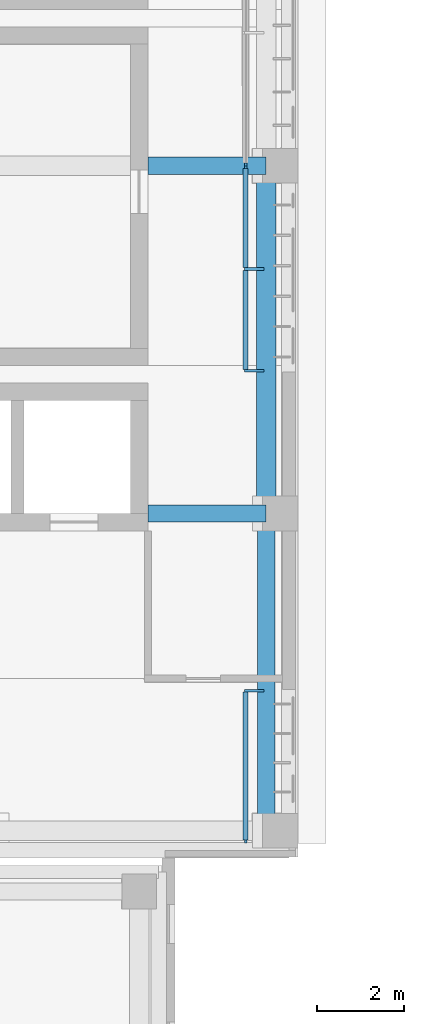
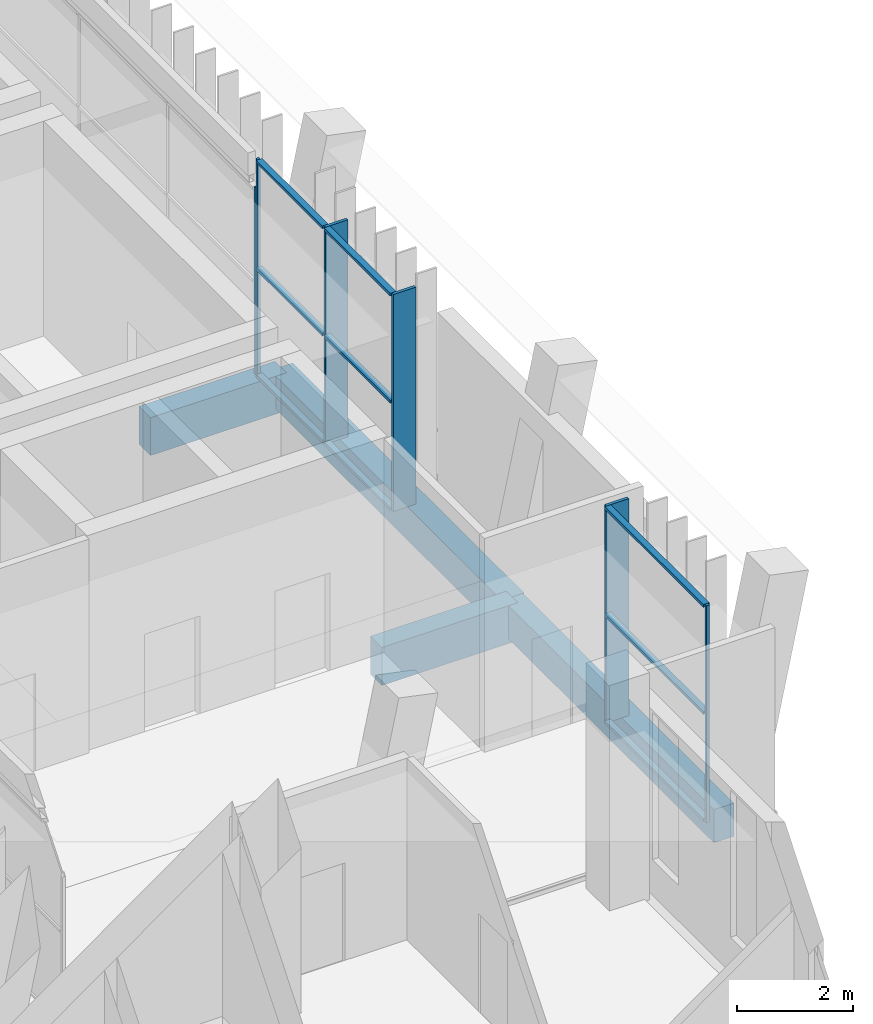
# One storey, part 41 of 89: 15 members, 4 beams, 3 elements without a shape of their own.
"""IFC4 building model written with IfcOpenShell, lengths in metres."""

import ifcopenshell
import ifcopenshell.guid

model = None  # the IFC model being written
_history = None  # IfcOwnerHistory: only IFC2X3 demands one
_inside = {}  # id of a spatial element -> (the spatial element, [elements in it])
_under = {}  # id of a project, library or spatial element -> (it, [spatial elements below it])
_declared = {}  # id of a project -> (the project, [libraries it declares])
_typed = {}  # id of a type object -> (the type object, [elements of that type])
_made_of = {}  # id of a material, layer set ... -> (it, [elements and type objects made of it])


def new_model(schema):
    """Start an empty IFC model of exactly this schema.

    Asked for "IFC4X3", IfcOpenShell would pick the latest addendum, in which some entities
    have other attributes; the version numbers below select the first issue.
    IFC2X3 requires an IfcOwnerHistory on every rooted entity: one is made here for all.
    """
    global model, _history
    if schema == "IFC4X3":
        model = ifcopenshell.file(schema_version=(4, 3, 0, 0))
    else:
        model = ifcopenshell.file(schema=schema)
    _inside.clear()
    _under.clear()
    _declared.clear()
    _typed.clear()
    _made_of.clear()
    _history = None
    if model.schema == "IFC2X3":
        org = make("IfcOrganization", Name="unknown")
        user = make(
            "IfcPersonAndOrganization",
            ThePerson=make("IfcPerson", FamilyName="unknown"),
            TheOrganization=org,
        )
        app = make(
            "IfcApplication",
            ApplicationDeveloper=org,
            Version="unknown",
            ApplicationFullName="unknown",
            ApplicationIdentifier="unknown",
        )
        _history = make(
            "IfcOwnerHistory",
            OwningUser=user,
            OwningApplication=app,
            ChangeAction="ADDED",
            CreationDate=0,
        )
    return model


def make(cls, **values):
    """One entity of the class cls with the attributes given. An attribute that is None is left unset."""
    return model.create_entity(
        cls, **{name: value for name, value in values.items() if value is not None}
    )


def rooted(cls, **values):
    """An entity with a GlobalId (a new one), such as an element, a storey or a relation."""
    return make(cls, GlobalId=ifcopenshell.guid.new(), OwnerHistory=_history, **values)


def si_unit(unit_type, name, prefix=None):
    """IfcSIUnit, for example si_unit("LENGTHUNIT", "METRE", prefix="MILLI")."""
    return make("IfcSIUnit", UnitType=unit_type, Prefix=prefix, Name=name)


def assignment(units):
    """IfcUnitAssignment: the units of a project."""
    return None if units is None else make("IfcUnitAssignment", Units=units)


def point(xyz):
    """IfcCartesianPoint."""
    return None if xyz is None else make("IfcCartesianPoint", Coordinates=xyz)


def direction(xyz):
    """IfcDirection."""
    return None if xyz is None else make("IfcDirection", DirectionRatios=xyz)


def frame(location, z_axis=None, x_axis=None):
    """IfcAxis2Placement3D, a coordinate frame: its origin and axes. An axis left out is left unset."""
    return make(
        "IfcAxis2Placement3D",
        Location=point(location),
        Axis=direction(z_axis),
        RefDirection=direction(x_axis),
    )


def frame_2d(location, x_axis=None):
    """IfcAxis2Placement2D, a coordinate frame in the plane: its origin and x axis."""
    return make(
        "IfcAxis2Placement2D", Location=point(location), RefDirection=direction(x_axis)
    )


def origin():
    """The frame at (0, 0, 0) with its axes left unset."""
    return frame((0.0, 0.0, 0.0))


def origin_2d():
    """The frame at (0, 0) in the plane with its x axis left unset."""
    return frame_2d((0.0, 0.0))


def place(relative_to, where):
    """IfcLocalPlacement: puts the frame where relative to a parent placement (None: the world)."""
    return make(
        "IfcLocalPlacement", PlacementRelTo=relative_to, RelativePlacement=where
    )


def context(
    kind, dimensions, precision=None, world=None, true_north=None, identifier=None
):
    """IfcGeometricRepresentationContext, for example the 3D "Model" context."""
    return make(
        "IfcGeometricRepresentationContext",
        ContextIdentifier=identifier,
        ContextType=kind,
        CoordinateSpaceDimension=dimensions,
        Precision=precision,
        WorldCoordinateSystem=world,
        TrueNorth=true_north,
    )


def subcontext(parent, identifier, kind, view, scale=None):
    """IfcGeometricRepresentationSubContext, for example "Body" below "Model"."""
    return make(
        "IfcGeometricRepresentationSubContext",
        ContextIdentifier=identifier,
        ContextType=kind,
        ParentContext=parent,
        TargetScale=scale,
        TargetView=view,
    )


def project(units=None, contexts=None):
    """IfcProject with its units and contexts."""
    return rooted(
        "IfcProject",
        Name="project",
        RepresentationContexts=contexts,
        UnitsInContext=assignment(units),
    )


def spatial(cls, under=None, at=None, **own):
    """A site, building, storey or space (cls), placed at a placement, below another one or the project."""
    s = rooted(cls, ObjectPlacement=at, **own)
    if under is not None:
        _under.setdefault(under.id(), (under, []))[1].append(s)
    return s


def profile(cls, at=None, kind="AREA", **sizes):
    """A parametric profile (cls). Its sizes go by their IFC names, for example OverallWidth=200.0."""
    return make(cls, ProfileType=kind, Position=at, **sizes)


def rectangle(**sizes):
    """IfcRectangleProfileDef."""
    return profile("IfcRectangleProfileDef", **sizes)


def extrude(swept, where, along, depth):
    """IfcExtrudedAreaSolid: the profile swept, set in the frame where, extruded along a direction by depth."""
    return make(
        "IfcExtrudedAreaSolid",
        SweptArea=swept,
        Position=where,
        ExtrudedDirection=direction(along),
        Depth=depth,
    )


def shape(context_of_items, identifier, shape_type, items):
    """IfcShapeRepresentation: the items that make up one representation, for example the "Body"."""
    return make(
        "IfcShapeRepresentation",
        ContextOfItems=context_of_items,
        RepresentationIdentifier=identifier,
        RepresentationType=shape_type,
        Items=items,
    )


def material(Name=None, Category=None):
    """IfcMaterial."""
    return make("IfcMaterial", Name=Name, Category=Category)


def material_profile(
    of_material, cross_section, Name=None, Category=None, Priority=None
):
    """IfcMaterialProfile: a cross section and its material."""
    return make(
        "IfcMaterialProfile",
        Name=Name,
        Material=of_material,
        Profile=cross_section,
        Priority=Priority,
        Category=Category,
    )


def profile_set(profiles, Name=None, composite=None):
    """IfcMaterialProfileSet."""
    return make(
        "IfcMaterialProfileSet",
        Name=Name,
        MaterialProfiles=profiles,
        CompositeProfile=composite,
    )


def made_of(thing, what):
    """Note that an element or type object is made of a material, layer set ...; save() writes the relation."""
    if what is not None:
        _made_of.setdefault(what.id(), (what, []))[1].append(thing)
    return thing


def type_object(cls, material=None, **own):
    """A type object (cls), such as IfcWallType, which elements share."""
    return made_of(rooted(cls, **own), material)


def element(
    cls,
    number,
    at=None,
    inside=None,
    cuts=None,
    type_object=None,
    material=None,
    context=None,
    identifier="Body",
    shape_type=None,
    held_by="IfcProductDefinitionShape",
    body=None,
    shapes=None,
    **own,
):
    """One element of the class cls, such as IfcWall. Its Tag is "e" and its number.

    at: its placement. inside: the storey or other place that contains it. cuts: it is an
    opening in that element (IfcRelVoidsElement). A single representation is given by context,
    identifier, shape_type and body (its items); several are given by shapes. held_by: the class
    of the entity that holds the representations. save() writes the other relations.
    """
    e = rooted(cls, Tag="e%d" % number, ObjectPlacement=at, **own)
    if body is not None:
        shapes = [shape(context, identifier, shape_type, body)]
    if shapes is not None:
        e.Representation = make(held_by, Representations=shapes)
    if inside is not None:
        _inside.setdefault(inside.id(), (inside, []))[1].append(e)
    if cuts is not None:
        rooted(
            "IfcRelVoidsElement", RelatingBuildingElement=cuts, RelatedOpeningElement=e
        )
    if type_object is not None:
        _typed.setdefault(type_object.id(), (type_object, []))[1].append(e)
    return made_of(e, material)


def aggregate(whole, parts):
    """IfcRelAggregates: a whole, such as a stair, and the parts it consists of."""
    return rooted("IfcRelAggregates", RelatingObject=whole, RelatedObjects=parts)


def save(model, path):
    """Write the relations noted so far, then the file.

    IfcRelAggregates (storeys below a building ...), IfcRelContainedInSpatialStructure (elements
    in a storey), IfcRelDefinesByType, IfcRelAssociatesMaterial and IfcRelDeclares: one each for
    every whole, place, type object, material and project.
    """
    for whole, parts in _under.values():
        aggregate(whole, parts)
    for where, things in _inside.values():
        rooted(
            "IfcRelContainedInSpatialStructure",
            RelatedElements=things,
            RelatingStructure=where,
        )
    for kind, things in _typed.values():
        rooted("IfcRelDefinesByType", RelatedObjects=things, RelatingType=kind)
    for what, things in _made_of.values():
        rooted("IfcRelAssociatesMaterial", RelatedObjects=things, RelatingMaterial=what)
    for by, libraries in _declared.values():
        rooted("IfcRelDeclares", RelatingContext=by, RelatedDefinitions=libraries)
    model.write(path)


model = new_model("IFC4")

# Units and contexts
model_context = context("Model", 3, precision=1e-05, world=origin(), true_north=direction((0.0, 1.0)))
body_context = subcontext(model_context, "Body", "Model", "MODEL_VIEW")
ifc_project = project(units=[si_unit("LENGTHUNIT", "METRE"), si_unit("AREAUNIT", "SQUARE_METRE"), si_unit("VOLUMEUNIT", "CUBIC_METRE"), si_unit("PLANEANGLEUNIT", "RADIAN"), si_unit("MASSUNIT", "GRAM", prefix="KILO")], contexts=[model_context])

# Site, building, storey
site_placement = place(None, origin())
site = spatial("IfcSite", under=ifc_project, at=site_placement, CompositionType="ELEMENT")
building_placement = place(site_placement, origin())
building = spatial("IfcBuilding", under=site, at=building_placement, Name="Lantern Court Media Centre", CompositionType="ELEMENT")
storey_placement = place(building_placement, frame((0.0, 0.0, 14.39990234375)))
storey = spatial("IfcBuildingStorey", under=building, at=storey_placement, Name="L03", CompositionType="ELEMENT", Elevation=14.39990234375)

# Curtain wall, member
ifc_material_1 = material(Name="Curtain wall bay 3000")
curtain_wall_type = type_object("IfcCurtainWallType", Name="Curtain wall bay 3000", PredefinedType="NOTDEFINED", material=ifc_material_1)
curtain_wall_1_placement = place(storey_placement, origin())
curtain_wall_1 = element("IfcCurtainWall", 1, at=curtain_wall_1_placement, inside=storey, type_object=curtain_wall_type, Name="Curtain wall E outer L03", PredefinedType="NOTDEFINED")
ifc_material_2 = material(Name="Anodised aluminium", Category="aluminium")
ifc_material_profile_1 = material_profile(ifc_material_2, rectangle(XDim=0.449951171875, YDim=0.06005859375, at=origin_2d()), Name="AL 60x450")
ifc_profile_set_1 = profile_set([ifc_material_profile_1], Name="Anodised aluminium")
member_type_1 = type_object("IfcMemberType", Name="Curtain wall mullion 60x450", PredefinedType="MULLION", material=ifc_profile_set_1)
member_1_placement = place(storey_placement, frame((98.044921875, 67.919921875, 0.0), z_axis=(0.0, 0.0, 1.0), x_axis=(-1.0, 0.0, 0.0)))
member_1 = element("IfcMember", 2, at=member_1_placement, type_object=member_type_1, Name="CW1 mullion 2", PredefinedType="MULLION", context=body_context, shape_type="SweptSolid", body=[
    extrude(rectangle(XDim=0.449951171875, YDim=0.06005859375, at=origin_2d()), origin(), (0.0, 0.0, 1.0), 4.580078125),
])

# Curtain wall, members
curtain_wall_2_placement = place(storey_placement, origin())
curtain_wall_2 = element("IfcCurtainWall", 3, at=curtain_wall_2_placement, inside=storey, type_object=curtain_wall_type, Name="Curtain wall E outer L03", PredefinedType="NOTDEFINED")
member_2_placement = place(storey_placement, frame((98.044921875, 75.280029296875, 0.0), z_axis=(0.0, 0.0, 1.0), x_axis=(-1.0, 0.0, 0.0)))
member_2 = element("IfcMember", 4, at=member_2_placement, type_object=member_type_1, Name="CW1 mullion 1", PredefinedType="MULLION", context=body_context, shape_type="SweptSolid", body=[
    extrude(rectangle(XDim=0.449951171875, YDim=0.06005859375, at=origin_2d()), origin(), (0.0, 0.0, 1.0), 4.580078125),
])
member_3_placement = place(storey_placement, frame((98.044921875, 77.625, 0.0), z_axis=(0.0, 0.0, 1.0), x_axis=(-1.0, 0.0, 0.0)))
member_3 = element("IfcMember", 5, at=member_3_placement, type_object=member_type_1, Name="CW1 mullion 2", PredefinedType="MULLION", context=body_context, shape_type="SweptSolid", body=[
    extrude(rectangle(XDim=0.449951171875, YDim=0.06005859375, at=origin_2d()), origin(), (0.0, 0.0, 1.0), 4.580078125),
])

# Member
ifc_material_profile_2 = material_profile(ifc_material_2, rectangle(XDim=0.06005859375, YDim=0.06005859375, at=origin_2d()), Name="AL 60x60")
ifc_profile_set_2 = profile_set([ifc_material_profile_2], Name="Anodised aluminium")
member_type_2 = type_object("IfcMemberType", Name="Curtain wall mullion 60x60", PredefinedType="MULLION", material=ifc_profile_set_2)
member_4_placement = place(storey_placement, frame((97.85009765625, 64.449951171875, 0.0), z_axis=(0.0, 0.0, 1.0), x_axis=(-1.0, 0.0, 0.0)))
member_4 = element("IfcMember", 6, at=member_4_placement, type_object=member_type_2, Name="CW1 mullion 1", PredefinedType="MULLION", context=body_context, shape_type="SweptSolid", body=[
    extrude(rectangle(XDim=0.06005859375, YDim=0.06005859375, at=origin_2d()), origin(), (0.0, 0.0, 1.0), 4.580078125),
])

member_5_placement = place(storey_placement, frame((97.85009765625, 79.969970703125, 0.0), z_axis=(0.0, 0.0, 1.0), x_axis=(-1.0, 0.0, 0.0)))
member_5 = element("IfcMember", 7, at=member_5_placement, type_object=member_type_2, Name="CW1 mullion 3", PredefinedType="MULLION", context=body_context, shape_type="SweptSolid", body=[
    extrude(rectangle(XDim=0.06005859375, YDim=0.06005859375, at=origin_2d()), origin(), (0.0, 0.0, 1.0), 4.580078125),
])

# Curtain wall, member
curtain_wall_3_placement = place(storey_placement, origin())
curtain_wall_3 = element("IfcCurtainWall", 8, at=curtain_wall_3_placement, inside=storey, type_object=curtain_wall_type, Name="Curtain wall E outer L03", PredefinedType="NOTDEFINED")
member_6_placement = place(storey_placement, frame((97.85009765625, 80.030029296875, 0.0), z_axis=(0.0, 0.0, 1.0), x_axis=(-1.0, 0.0, 0.0)))
member_6 = element("IfcMember", 9, at=member_6_placement, type_object=member_type_2, Name="CW1 mullion 1", PredefinedType="MULLION", context=body_context, shape_type="SweptSolid", body=[
    extrude(rectangle(XDim=0.06005859375, YDim=0.06005859375, at=origin_2d()), origin(), (0.0, 0.0, 1.0), 3.9501953125),
])
aggregate(curtain_wall_3, [member_6])

# Member
ifc_material_profile_3 = material_profile(ifc_material_2, rectangle(XDim=0.1201171875, YDim=0.06005859375, at=origin_2d()), Name="AL 60x120")
ifc_profile_set_3 = profile_set([ifc_material_profile_3], Name="Anodised aluminium")
member_type_3 = type_object("IfcMemberType", Name="Curtain wall transom 60x120", PredefinedType="USERDEFINED", material=ifc_profile_set_3)
member_7_placement = place(storey_placement, frame((97.85009765625, 64.47998046875, 0.030029296875), z_axis=(0.0, 1.0, 0.0), x_axis=(-1.0, 0.0, 0.0)))
member_7 = element("IfcMember", 10, at=member_7_placement, type_object=member_type_3, Name="CW1 transom 1.1", ObjectType="TRANSOM", PredefinedType="USERDEFINED", context=body_context, shape_type="SweptSolid", body=[
    extrude(rectangle(XDim=0.1201171875, YDim=0.06005859375, at=origin_2d()), origin(), (0.0, 0.0, 1.0), 3.409912109375),
])

member_8_placement = place(storey_placement, frame((97.85009765625, 64.47998046875, 2.2900390625), z_axis=(0.0, 1.0, 0.0), x_axis=(-1.0, 0.0, 0.0)))
member_8 = element("IfcMember", 11, at=member_8_placement, type_object=member_type_3, Name="CW1 transom 1.2", ObjectType="TRANSOM", PredefinedType="USERDEFINED", context=body_context, shape_type="SweptSolid", body=[
    extrude(rectangle(XDim=0.1201171875, YDim=0.06005859375, at=origin_2d()), origin(), (0.0, 0.0, 1.0), 3.409912109375),
])

member_9_placement = place(storey_placement, frame((97.85009765625, 64.47998046875, 4.550048828125), z_axis=(0.0, 1.0, 0.0), x_axis=(-1.0, 0.0, 0.0)))
member_9 = element("IfcMember", 12, at=member_9_placement, type_object=member_type_3, Name="CW1 transom 1.3", ObjectType="TRANSOM", PredefinedType="USERDEFINED", context=body_context, shape_type="SweptSolid", body=[
    extrude(rectangle(XDim=0.1201171875, YDim=0.06005859375, at=origin_2d()), origin(), (0.0, 0.0, 1.0), 3.409912109375),
])

aggregate(curtain_wall_1, [member_4, member_1, member_7, member_8, member_9])

member_10_placement = place(storey_placement, frame((97.85009765625, 75.31005859375, 0.030029296875), z_axis=(0.0, 1.0, 0.0), x_axis=(-1.0, 0.0, 0.0)))
member_10 = element("IfcMember", 13, at=member_10_placement, type_object=member_type_3, Name="CW1 transom 1.1", ObjectType="TRANSOM", PredefinedType="USERDEFINED", context=body_context, shape_type="SweptSolid", body=[
    extrude(rectangle(XDim=0.1201171875, YDim=0.06005859375, at=origin_2d()), origin(), (0.0, 0.0, 1.0), 2.284912109375),
])

member_11_placement = place(storey_placement, frame((97.85009765625, 75.31005859375, 2.2900390625), z_axis=(0.0, 1.0, 0.0), x_axis=(-1.0, 0.0, 0.0)))
member_11 = element("IfcMember", 14, at=member_11_placement, type_object=member_type_3, Name="CW1 transom 1.2", ObjectType="TRANSOM", PredefinedType="USERDEFINED", context=body_context, shape_type="SweptSolid", body=[
    extrude(rectangle(XDim=0.1201171875, YDim=0.06005859375, at=origin_2d()), origin(), (0.0, 0.0, 1.0), 2.284912109375),
])

member_12_placement = place(storey_placement, frame((97.85009765625, 75.31005859375, 4.550048828125), z_axis=(0.0, 1.0, 0.0), x_axis=(-1.0, 0.0, 0.0)))
member_12 = element("IfcMember", 15, at=member_12_placement, type_object=member_type_3, Name="CW1 transom 1.3", ObjectType="TRANSOM", PredefinedType="USERDEFINED", context=body_context, shape_type="SweptSolid", body=[
    extrude(rectangle(XDim=0.1201171875, YDim=0.06005859375, at=origin_2d()), origin(), (0.0, 0.0, 1.0), 2.284912109375),
])

member_13_placement = place(storey_placement, frame((97.85009765625, 77.655029296875, 0.030029296875), z_axis=(0.0, 1.0, 0.0), x_axis=(-1.0, 0.0, 0.0)))
member_13 = element("IfcMember", 16, at=member_13_placement, type_object=member_type_3, Name="CW1 transom 2.1", ObjectType="TRANSOM", PredefinedType="USERDEFINED", context=body_context, shape_type="SweptSolid", body=[
    extrude(rectangle(XDim=0.1201171875, YDim=0.06005859375, at=origin_2d()), origin(), (0.0, 0.0, 1.0), 2.284912109375),
])

member_14_placement = place(storey_placement, frame((97.85009765625, 77.655029296875, 2.2900390625), z_axis=(0.0, 1.0, 0.0), x_axis=(-1.0, 0.0, 0.0)))
member_14 = element("IfcMember", 17, at=member_14_placement, type_object=member_type_3, Name="CW1 transom 2.2", ObjectType="TRANSOM", PredefinedType="USERDEFINED", context=body_context, shape_type="SweptSolid", body=[
    extrude(rectangle(XDim=0.1201171875, YDim=0.06005859375, at=origin_2d()), origin(), (0.0, 0.0, 1.0), 2.284912109375),
])

member_15_placement = place(storey_placement, frame((97.85009765625, 77.655029296875, 4.550048828125), z_axis=(0.0, 1.0, 0.0), x_axis=(-1.0, 0.0, 0.0)))
member_15 = element("IfcMember", 18, at=member_15_placement, type_object=member_type_3, Name="CW1 transom 2.3", ObjectType="TRANSOM", PredefinedType="USERDEFINED", context=body_context, shape_type="SweptSolid", body=[
    extrude(rectangle(XDim=0.1201171875, YDim=0.06005859375, at=origin_2d()), origin(), (0.0, 0.0, 1.0), 2.284912109375),
])

aggregate(curtain_wall_2, [member_2, member_3, member_5, member_10, member_11, member_12, member_13, member_14, member_15])

# Beams
ifc_material_3 = material(Name="Concrete C35", Category="concrete")
ifc_material_profile_4 = material_profile(ifc_material_3, rectangle(XDim=0.39990234375, YDim=0.699951171875, at=origin_2d()), Name="RC 400x700")
ifc_profile_set_4 = profile_set([ifc_material_profile_4], Name="Concrete C35")
beam_type_1 = type_object("IfcBeamType", Name="RC BEAM 400x700", PredefinedType="BEAM", material=ifc_profile_set_4)
beam_1_placement = place(storey_placement, frame((98.3271484375, 64.699951171875, -0.349853515625), z_axis=(0.0, 1.0, 0.0), x_axis=(-1.0, 0.0, 0.0)))
element("IfcBeam", 19, at=beam_1_placement, inside=storey, type_object=beam_type_1, Name="LB-E-L03-2-0", PredefinedType="BEAM", context=body_context, shape_type="SweptSolid", body=[
    extrude(rectangle(XDim=0.39990234375, YDim=0.699951171875, at=origin_2d()), origin(), (0.0, 0.0, 1.0), 7.300048828125),
])
ifc_material_profile_5 = material_profile(ifc_material_3, rectangle(XDim=0.39990234375, YDim=0.800048828125, at=origin_2d()), Name="RC 400x800")
ifc_profile_set_5 = profile_set([ifc_material_profile_5], Name="Concrete C35")
beam_type_2 = type_object("IfcBeamType", Name="RC BEAM 400x800", PredefinedType="BEAM", material=ifc_profile_set_5)
for number, where, z_axis, x_axis, name in (
    (20, (95.60009765625, 72.0, -0.39990234375), (1.0, 0.0, 0.0), (0.0, 1.0, 0.0), "TB-E-L03-1-11"),
    (21, (95.60009765625, 80.0, -0.39990234375), (1.0, 0.0, 0.0), (0.0, 1.0, 0.0), "TB-E-L03-2-12"),
):
    element("IfcBeam", number, at=place(storey_placement, frame(where, z_axis=z_axis, x_axis=x_axis)), inside=storey, type_object=beam_type_2, Name=name, PredefinedType="BEAM", context=body_context, shape_type="SweptSolid", body=[
        extrude(rectangle(XDim=0.39990234375, YDim=0.800048828125, at=origin_2d()), origin(), (0.0, 0.0, 1.0), 2.716552734375),
    ])
ifc_material_profile_6 = material_profile(ifc_material_3, rectangle(XDim=0.449951171875, YDim=0.699951171875, at=origin_2d()), Name="RC 450x700")
ifc_profile_set_6 = profile_set([ifc_material_profile_6], Name="Concrete C35")
beam_type_3 = type_object("IfcBeamType", Name="RC BEAM 450x700", PredefinedType="BEAM", material=ifc_profile_set_6)
beam_2_placement = place(storey_placement, frame((98.3271484375, 72.0, -0.349853515625), z_axis=(0.0, 1.0, 0.0), x_axis=(-1.0, 0.0, 0.0)))
element("IfcBeam", 22, at=beam_2_placement, inside=storey, type_object=beam_type_3, Name="LB-E-L03-2-1", PredefinedType="BEAM", context=body_context, shape_type="SweptSolid", body=[
    extrude(rectangle(XDim=0.449951171875, YDim=0.699951171875, at=origin_2d()), origin(), (0.0, 0.0, 1.0), 8.0),
])

save(model, "model.ifc")
